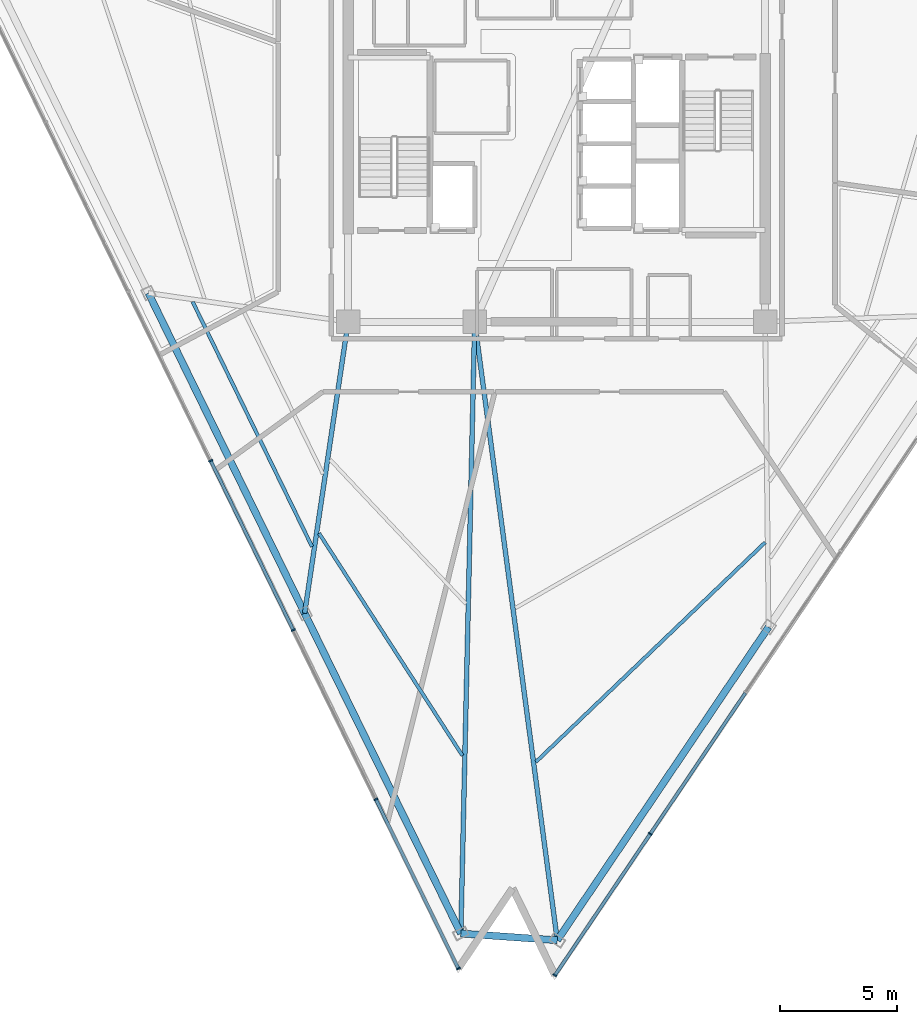
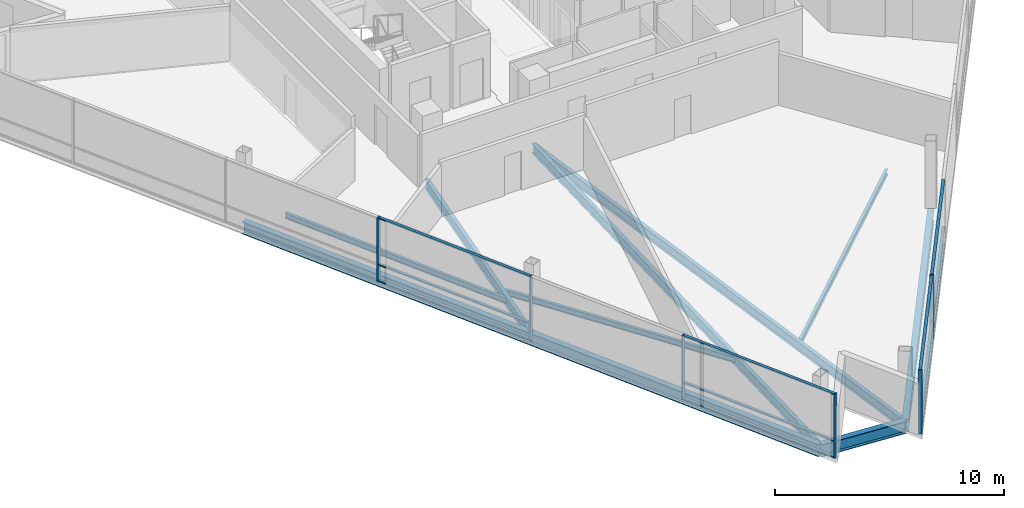
# One storey, part 2 of 13: 18 members, 10 beams, 2 elements without a shape of their own.
"""IFC4 building model written with IfcOpenShell, lengths in metres."""

from ifc_helpers import new_model, si_unit, direction, frame, origin, origin_2d, place, context, subcontext, project, spatial, rectangle, i_section, extrude, material, layer, layer_set, material_profile, profile_set, type_object, element, aggregate, save


model = new_model("IFC4")

# Units and contexts
model_context = context("Model", 3, precision=1e-05, world=origin(), true_north=direction((0.0, 1.0)))
body_context = subcontext(model_context, "Body", "Model", "MODEL_VIEW")
ifc_project = project(units=[si_unit("LENGTHUNIT", "METRE"), si_unit("AREAUNIT", "SQUARE_METRE"), si_unit("VOLUMEUNIT", "CUBIC_METRE"), si_unit("PLANEANGLEUNIT", "RADIAN"), si_unit("MASSUNIT", "GRAM", prefix="KILO")], contexts=[model_context])

# Site, building, storey
site_placement = place(None, origin())
site = spatial("IfcSite", under=ifc_project, at=site_placement, CompositionType="ELEMENT")
building_placement = place(site_placement, origin())
building = spatial("IfcBuilding", under=site, at=building_placement, Name="Tharavind Bronze Gate", CompositionType="ELEMENT")
storey_placement = place(building_placement, frame((0.0, 0.0, 234.25)))
storey = spatial("IfcBuildingStorey", under=building, at=storey_placement, Name="L60", CompositionType="ELEMENT", Elevation=234.25)

# Curtain wall, members
ifc_material_1 = material(Name="Anodised Bronze Aluminium", Category="aluminium")
ifc_layer = layer(ifc_material_1, 0.219970703125)
ifc_layer_set = layer_set([ifc_layer], Name="Anodised Bronze Aluminium")
curtain_wall_type = type_object("IfcCurtainWallType", Name="UNITISED CURTAIN WALL UPPER OFFICE", PredefinedType="USERDEFINED", material=ifc_layer_set)
curtain_wall_1_placement = place(storey_placement, origin())
curtain_wall_1 = element("IfcCurtainWall", 1, at=curtain_wall_1_placement, inside=storey, type_object=curtain_wall_type, Name="L60 unitised curtain wall upper office CW-L60-S1", ObjectType="UNITISED CURTAIN WALL", PredefinedType="USERDEFINED")
member_type_1 = type_object("IfcMemberType", Name="CURTAIN WALL BRONZE MULLION 65X180", PredefinedType="MULLION", material=ifc_material_1)
member_1_placement = place(storey_placement, frame((-14.76611328125, -13.532958984375, 0.0), z_axis=(0.0, 0.0, 1.0), x_axis=(0.438371146789, -0.898794046299, 0.0)))
member_1 = element("IfcMember", 2, at=member_1_placement, type_object=member_type_1, Name="CW-L60-S1 mullion 4", PredefinedType="MULLION", context=body_context, shape_type="SweptSolid", body=[
    extrude(rectangle(XDim=0.06494140625, YDim=0.179931640625, at=origin_2d()), origin(), (0.0, 0.0, 1.0), 3.419921875),
])
member_2_placement = place(storey_placement, frame((-11.24267578125, -20.75732421875, 0.0), z_axis=(0.0, 0.0, 1.0), x_axis=(0.438371146789, -0.898794046299, 0.0)))
member_2 = element("IfcMember", 3, at=member_2_placement, type_object=member_type_1, Name="CW-L60-S1 mullion 5", PredefinedType="MULLION", context=body_context, shape_type="SweptSolid", body=[
    extrude(rectangle(XDim=0.06494140625, YDim=0.179931640625, at=origin_2d()), origin(), (0.0, 0.0, 1.0), 3.419921875),
])
member_3_placement = place(storey_placement, frame((-7.718994140625, -27.98193359375, 0.0), z_axis=(0.0, 0.0, 1.0), x_axis=(0.438371146789, -0.898794046299, 0.0)))
member_3 = element("IfcMember", 4, at=member_3_placement, type_object=member_type_1, Name="CW-L60-S1 mullion 6", PredefinedType="MULLION", context=body_context, shape_type="SweptSolid", body=[
    extrude(rectangle(XDim=0.06494140625, YDim=0.179931640625, at=origin_2d()), origin(), (0.0, 0.0, 1.0), 3.419921875),
])
member_4_placement = place(storey_placement, frame((-4.1953125, -35.20654296875, 0.0), z_axis=(0.0, 0.0, 1.0), x_axis=(0.438371146789, -0.898794046299, 0.0)))
member_4 = element("IfcMember", 5, at=member_4_placement, type_object=member_type_1, Name="CW-L60-S1 mullion 7", PredefinedType="MULLION", context=body_context, shape_type="SweptSolid", body=[
    extrude(rectangle(XDim=0.06494140625, YDim=0.179931640625, at=origin_2d()), origin(), (0.0, 0.0, 1.0), 3.419921875),
])

curtain_wall_2_placement = place(storey_placement, origin())
curtain_wall_2 = element("IfcCurtainWall", 6, at=curtain_wall_2_placement, inside=storey, type_object=curtain_wall_type, Name="L60 unitised curtain wall upper office CW-L60-S2", ObjectType="UNITISED CURTAIN WALL", PredefinedType="USERDEFINED")
member_5_placement = place(storey_placement, frame((-0.077392578125, -35.494384765625, 0.0), z_axis=(0.0, 0.0, 1.0), x_axis=(0.559192903471, 0.829037572555, 0.0)))
member_5 = element("IfcMember", 7, at=member_5_placement, type_object=member_type_1, Name="CW-L60-S2 mullion 1", PredefinedType="MULLION", context=body_context, shape_type="SweptSolid", body=[
    extrude(rectangle(XDim=0.06494140625, YDim=0.179931640625, at=origin_2d()), origin(), (0.0, 0.0, 1.0), 3.419921875),
])
member_6_placement = place(storey_placement, frame((3.9951171875, -29.45654296875, 0.0), z_axis=(0.0, 0.0, 1.0), x_axis=(0.559192903471, 0.829037572555, 0.0)))
member_6 = element("IfcMember", 8, at=member_6_placement, type_object=member_type_1, Name="CW-L60-S2 mullion 2", PredefinedType="MULLION", context=body_context, shape_type="SweptSolid", body=[
    extrude(rectangle(XDim=0.06494140625, YDim=0.179931640625, at=origin_2d()), origin(), (0.0, 0.0, 1.0), 3.419921875),
])

# Member
member_type_2 = type_object("IfcMemberType", Name="CURTAIN WALL BRONZE TRANSOM 65X140", PredefinedType="USERDEFINED", material=ifc_material_1)
member_7_placement = place(storey_placement, frame((-13.00439453125, -17.145263671875, 0.0), z_axis=(0.0, 0.0, 1.0), x_axis=(0.438371146789, -0.898794046299, 0.0)))
member_7 = element("IfcMember", 9, at=member_7_placement, type_object=member_type_2, Name="CW-L60-S1 transom TB4", ObjectType="TRANSOM", PredefinedType="USERDEFINED", context=body_context, shape_type="SweptSolid", body=[
    extrude(rectangle(XDim=7.985107421875, YDim=0.139892578125, at=origin_2d()), origin(), (0.0, 0.0, 1.0), 0.06494140625),
])

member_8_placement = place(storey_placement, frame((-13.00439453125, -17.145263671875, 0.867431640625), z_axis=(0.0, 0.0, 1.0), x_axis=(0.438371146789, -0.898794046299, 0.0)))
member_8 = element("IfcMember", 10, at=member_8_placement, type_object=member_type_2, Name="CW-L60-S1 transom TS4", ObjectType="TRANSOM", PredefinedType="USERDEFINED", context=body_context, shape_type="SweptSolid", body=[
    extrude(rectangle(XDim=7.985107421875, YDim=0.139892578125, at=origin_2d()), origin(), (0.0, 0.0, 1.0), 0.06494140625),
])

member_9_placement = place(storey_placement, frame((-13.00439453125, -17.145263671875, 3.35498046875), z_axis=(0.0, 0.0, 1.0), x_axis=(0.438371146789, -0.898794046299, 0.0)))
member_9 = element("IfcMember", 11, at=member_9_placement, type_object=member_type_2, Name="CW-L60-S1 transom TT4", ObjectType="TRANSOM", PredefinedType="USERDEFINED", context=body_context, shape_type="SweptSolid", body=[
    extrude(rectangle(XDim=7.985107421875, YDim=0.139892578125, at=origin_2d()), origin(), (0.0, 0.0, 1.0), 0.06494140625),
])

member_10_placement = place(storey_placement, frame((-5.95703125, -31.59423828125, 0.0), z_axis=(0.0, 0.0, 1.0), x_axis=(0.438371146789, -0.898794046299, 0.0)))
member_10 = element("IfcMember", 12, at=member_10_placement, type_object=member_type_2, Name="CW-L60-S1 transom TB6", ObjectType="TRANSOM", PredefinedType="USERDEFINED", context=body_context, shape_type="SweptSolid", body=[
    extrude(rectangle(XDim=7.985107421875, YDim=0.139892578125, at=origin_2d()), origin(), (0.0, 0.0, 1.0), 0.06494140625),
])

member_11_placement = place(storey_placement, frame((-5.95703125, -31.59423828125, 0.867431640625), z_axis=(0.0, 0.0, 1.0), x_axis=(0.438371146789, -0.898794046299, 0.0)))
member_11 = element("IfcMember", 13, at=member_11_placement, type_object=member_type_2, Name="CW-L60-S1 transom TS6", ObjectType="TRANSOM", PredefinedType="USERDEFINED", context=body_context, shape_type="SweptSolid", body=[
    extrude(rectangle(XDim=7.985107421875, YDim=0.139892578125, at=origin_2d()), origin(), (0.0, 0.0, 1.0), 0.06494140625),
])

member_12_placement = place(storey_placement, frame((-5.95703125, -31.59423828125, 3.35498046875), z_axis=(0.0, 0.0, 1.0), x_axis=(0.438371146789, -0.898794046299, 0.0)))
member_12 = element("IfcMember", 14, at=member_12_placement, type_object=member_type_2, Name="CW-L60-S1 transom TT6", ObjectType="TRANSOM", PredefinedType="USERDEFINED", context=body_context, shape_type="SweptSolid", body=[
    extrude(rectangle(XDim=7.985107421875, YDim=0.139892578125, at=origin_2d()), origin(), (0.0, 0.0, 1.0), 0.06494140625),
])

aggregate(curtain_wall_1, [member_1, member_2, member_3, member_4, member_7, member_8, member_9, member_10, member_11, member_12])

member_13_placement = place(storey_placement, frame((1.958984375, -32.4755859375, 0.0), z_axis=(0.0, 0.0, 1.0), x_axis=(0.559192903471, 0.829037572555, 0.0)))
member_13 = element("IfcMember", 15, at=member_13_placement, type_object=member_type_2, Name="CW-L60-S2 transom TB1", ObjectType="TRANSOM", PredefinedType="USERDEFINED", context=body_context, shape_type="SweptSolid", body=[
    extrude(rectangle(XDim=7.22998046875, YDim=0.139892578125, at=origin_2d()), origin(), (0.0, 0.0, 1.0), 0.06494140625),
])

member_14_placement = place(storey_placement, frame((1.958984375, -32.4755859375, 0.867431640625), z_axis=(0.0, 0.0, 1.0), x_axis=(0.559192903471, 0.829037572555, 0.0)))
member_14 = element("IfcMember", 16, at=member_14_placement, type_object=member_type_2, Name="CW-L60-S2 transom TS1", ObjectType="TRANSOM", PredefinedType="USERDEFINED", context=body_context, shape_type="SweptSolid", body=[
    extrude(rectangle(XDim=7.22998046875, YDim=0.139892578125, at=origin_2d()), origin(), (0.0, 0.0, 1.0), 0.06494140625),
])

member_15_placement = place(storey_placement, frame((1.958984375, -32.4755859375, 3.35498046875), z_axis=(0.0, 0.0, 1.0), x_axis=(0.559192903471, 0.829037572555, 0.0)))
member_15 = element("IfcMember", 17, at=member_15_placement, type_object=member_type_2, Name="CW-L60-S2 transom TT1", ObjectType="TRANSOM", PredefinedType="USERDEFINED", context=body_context, shape_type="SweptSolid", body=[
    extrude(rectangle(XDim=7.22998046875, YDim=0.139892578125, at=origin_2d()), origin(), (0.0, 0.0, 1.0), 0.06494140625),
])

member_16_placement = place(storey_placement, frame((6.031494140625, -26.437744140625, 0.0), z_axis=(0.0, 0.0, 1.0), x_axis=(0.559192903471, 0.829037572555, 0.0)))
member_16 = element("IfcMember", 18, at=member_16_placement, type_object=member_type_2, Name="CW-L60-S2 transom TB2", ObjectType="TRANSOM", PredefinedType="USERDEFINED", context=body_context, shape_type="SweptSolid", body=[
    extrude(rectangle(XDim=7.22998046875, YDim=0.139892578125, at=origin_2d()), origin(), (0.0, 0.0, 1.0), 0.06494140625),
])

member_17_placement = place(storey_placement, frame((6.031494140625, -26.437744140625, 0.867431640625), z_axis=(0.0, 0.0, 1.0), x_axis=(0.559192903471, 0.829037572555, 0.0)))
member_17 = element("IfcMember", 19, at=member_17_placement, type_object=member_type_2, Name="CW-L60-S2 transom TS2", ObjectType="TRANSOM", PredefinedType="USERDEFINED", context=body_context, shape_type="SweptSolid", body=[
    extrude(rectangle(XDim=7.22998046875, YDim=0.139892578125, at=origin_2d()), origin(), (0.0, 0.0, 1.0), 0.06494140625),
])

member_18_placement = place(storey_placement, frame((6.031494140625, -26.437744140625, 3.35498046875), z_axis=(0.0, 0.0, 1.0), x_axis=(0.559192903471, 0.829037572555, 0.0)))
member_18 = element("IfcMember", 20, at=member_18_placement, type_object=member_type_2, Name="CW-L60-S2 transom TT2", ObjectType="TRANSOM", PredefinedType="USERDEFINED", context=body_context, shape_type="SweptSolid", body=[
    extrude(rectangle(XDim=7.22998046875, YDim=0.139892578125, at=origin_2d()), origin(), (0.0, 0.0, 1.0), 0.06494140625),
])

aggregate(curtain_wall_2, [member_5, member_6, member_13, member_14, member_15, member_16, member_17, member_18])

# Beams
ifc_material_2 = material(Name="Steel S355", Category="steel")
ifc_material_profile_1 = material_profile(ifc_material_2, i_section(OverallWidth=0.300048828125, OverallDepth=0.64990234375, WebThickness=0.01611328125, FlangeThickness=0.031005859375, at=origin_2d()), Name="HE650B")
ifc_profile_set_1 = profile_set([ifc_material_profile_1], Name="Steel S355")
beam_type_1 = type_object("IfcBeamType", Name="PRIMARY GIRDER HE650B", PredefinedType="USERDEFINED", material=ifc_profile_set_1)
beam_1_placement = place(storey_placement, frame((-17.42578125, -6.368896484375, -0.5048828125), z_axis=(0.438369868708, -0.89879466966, 0.0), x_axis=(0.89879466966, 0.438369868708, 0.0)))
element("IfcBeam", 21, at=beam_1_placement, inside=storey, type_object=beam_type_1, Name="L60 primary girder he650b BM-L60-PRG02", ObjectType="GIRDER", PredefinedType="USERDEFINED", context=body_context, shape_type="SweptSolid", body=[
    extrude(i_section(OverallWidth=0.300048828125, OverallDepth=0.64990234375, WebThickness=0.01611328125, FlangeThickness=0.031005859375, at=origin_2d()), origin(), (0.0, 0.0, 1.0), 15.209716796875),
])
beam_2_placement = place(storey_placement, frame((-10.75830078125, -20.039306640625, -0.5048828125), z_axis=(0.438370186885, -0.898794514475, 0.0), x_axis=(0.898794514475, 0.438370186885, 0.0)))
element("IfcBeam", 22, at=beam_2_placement, inside=storey, type_object=beam_type_1, Name="L60 primary girder he650b BM-L60-PRG03", ObjectType="GIRDER", PredefinedType="USERDEFINED", context=body_context, shape_type="SweptSolid", body=[
    extrude(i_section(OverallWidth=0.300048828125, OverallDepth=0.64990234375, WebThickness=0.01611328125, FlangeThickness=0.031005859375, at=origin_2d()), origin(), (0.0, 0.0, 1.0), 15.210205078125),
])
beam_3_placement = place(storey_placement, frame((-4.090576171875, -33.710205078125, -0.5048828125), z_axis=(0.99756592469, -0.069729662964, 0.0), x_axis=(0.069729662964, 0.99756592469, 0.0)))
element("IfcBeam", 23, at=beam_3_placement, inside=storey, type_object=beam_type_1, Name="L60 primary girder he650b BM-L60-PRG04", ObjectType="GIRDER", PredefinedType="USERDEFINED", context=body_context, shape_type="SweptSolid", body=[
    extrude(i_section(OverallWidth=0.300048828125, OverallDepth=0.64990234375, WebThickness=0.01611328125, FlangeThickness=0.031005859375, at=origin_2d()), origin(), (0.0, 0.0, 1.0), 4.1279296875),
])
beam_4_placement = place(storey_placement, frame((0.02734375, -33.998046875, -0.5048828125), z_axis=(0.559188128577, 0.829040793241, 0.0), x_axis=(-0.829040793241, 0.559188128577, 0.0)))
element("IfcBeam", 24, at=beam_4_placement, inside=storey, type_object=beam_type_1, Name="L60 primary girder he650b BM-L60-PRG05", ObjectType="GIRDER", PredefinedType="USERDEFINED", context=body_context, shape_type="SweptSolid", body=[
    extrude(i_section(OverallWidth=0.300048828125, OverallDepth=0.64990234375, WebThickness=0.01611328125, FlangeThickness=0.031005859375, at=origin_2d()), origin(), (0.0, 0.0, 1.0), 16.12744140625),
])
ifc_material_profile_2 = material_profile(ifc_material_2, i_section(OverallWidth=0.199951171875, OverallDepth=0.5, WebThickness=0.01025390625, FlangeThickness=0.01611328125, at=origin_2d()), Name="IPE500")
ifc_profile_set_2 = profile_set([ifc_material_profile_2], Name="Steel S355")
beam_type_2 = type_object("IfcBeamType", Name="PRIMARY GIRDER IPE500", PredefinedType="USERDEFINED", material=ifc_profile_set_2)
beam_5_placement = place(storey_placement, frame((-10.75830078125, -20.039306640625, -0.429931640625), z_axis=(0.147758563849, 0.989023461203, 0.0), x_axis=(-0.989023461203, 0.147758563849, 0.0)))
element("IfcBeam", 25, at=beam_5_placement, inside=storey, type_object=beam_type_2, Name="L60 primary girder ipe500 BM-L60-RAD03", ObjectType="GIRDER", PredefinedType="USERDEFINED", context=body_context, shape_type="SweptSolid", body=[
    extrude(i_section(OverallWidth=0.199951171875, OverallDepth=0.5, WebThickness=0.01025390625, FlangeThickness=0.01611328125, at=origin_2d()), origin(), (0.0, 0.0, 1.0), 12.5771484375),
])
beam_6_placement = place(storey_placement, frame((-4.090576171875, -33.710205078125, -0.429931640625), z_axis=(0.022612896588, 0.999744295762, 0.0), x_axis=(-0.999744295762, 0.022612896588, 0.0)))
element("IfcBeam", 26, at=beam_6_placement, inside=storey, type_object=beam_type_2, Name="L60 primary girder ipe500 BM-L60-RAD04", ObjectType="GIRDER", PredefinedType="USERDEFINED", context=body_context, shape_type="SweptSolid", body=[
    extrude(i_section(OverallWidth=0.199951171875, OverallDepth=0.5, WebThickness=0.01025390625, FlangeThickness=0.01611328125, at=origin_2d()), origin(), (0.0, 0.0, 1.0), 26.11669921875),
])
beam_7_placement = place(storey_placement, frame((0.02734375, -33.998046875, -0.429931640625), z_axis=(-0.132444729181, 0.991190392262, 0.0), x_axis=(-0.991190392262, -0.132444729181, 0.0)))
element("IfcBeam", 27, at=beam_7_placement, inside=storey, type_object=beam_type_2, Name="L60 primary girder ipe500 BM-L60-RAD05", ObjectType="GIRDER", PredefinedType="USERDEFINED", context=body_context, shape_type="SweptSolid", body=[
    extrude(i_section(OverallWidth=0.199951171875, OverallDepth=0.5, WebThickness=0.01025390625, FlangeThickness=0.01611328125, at=origin_2d()), origin(), (0.0, 0.0, 1.0), 26.632568359375),
])
ifc_material_profile_3 = material_profile(ifc_material_2, i_section(OverallWidth=0.14990234375, OverallDepth=0.300048828125, WebThickness=0.007080078125, FlangeThickness=0.0107421875, at=origin_2d()), Name="IPE300")
ifc_profile_set_3 = profile_set([ifc_material_profile_3], Name="Steel S355")
beam_type_3 = type_object("IfcBeamType", Name="SECONDARY FLOOR JOIST IPE300", PredefinedType="JOIST", material=ifc_profile_set_3)
beam_8_placement = place(storey_placement, frame((-15.5380859375, -6.745849609375, -0.330078125), z_axis=(0.438386835701, -0.898786394136, 0.0), x_axis=(0.898786394136, 0.438386835701, 0.0)))
element("IfcBeam", 28, at=beam_8_placement, inside=storey, type_object=beam_type_3, Name="L60 secondary floor joist ipe300 BM-L60-JSTB02", PredefinedType="JOIST", context=body_context, shape_type="SweptSolid", body=[
    extrude(i_section(OverallWidth=0.14990234375, OverallDepth=0.300048828125, WebThickness=0.007080078125, FlangeThickness=0.0107421875, at=origin_2d()), origin(), (0.0, 0.0, 1.0), 11.63427734375),
])
beam_9_placement = place(storey_placement, frame((-10.144287109375, -16.624755859375, -0.330078125), z_axis=(0.54214213251, -0.840286801132, 0.0), x_axis=(0.840286801132, 0.54214213251, 0.0)))
element("IfcBeam", 29, at=beam_9_placement, inside=storey, type_object=beam_type_3, Name="L60 secondary floor joist ipe300 BM-L60-JSTB03", PredefinedType="JOIST", context=body_context, shape_type="SweptSolid", body=[
    extrude(i_section(OverallWidth=0.14990234375, OverallDepth=0.300048828125, WebThickness=0.007080078125, FlangeThickness=0.0107421875, at=origin_2d()), origin(), (0.0, 0.0, 1.0), 11.294677734375),
])
beam_10_placement = place(storey_placement, frame((-0.885498046875, -26.385986328125, -0.330078125), z_axis=(0.722227015717, 0.691656083446, 0.0), x_axis=(-0.691656083446, 0.722227015717, 0.0)))
element("IfcBeam", 30, at=beam_10_placement, inside=storey, type_object=beam_type_3, Name="L60 secondary floor joist ipe300 BM-L60-JSTB05", PredefinedType="JOIST", context=body_context, shape_type="SweptSolid", body=[
    extrude(i_section(OverallWidth=0.14990234375, OverallDepth=0.300048828125, WebThickness=0.007080078125, FlangeThickness=0.0107421875, at=origin_2d()), origin(), (0.0, 0.0, 1.0), 13.55224609375),
])

save(model, "model.ifc")
